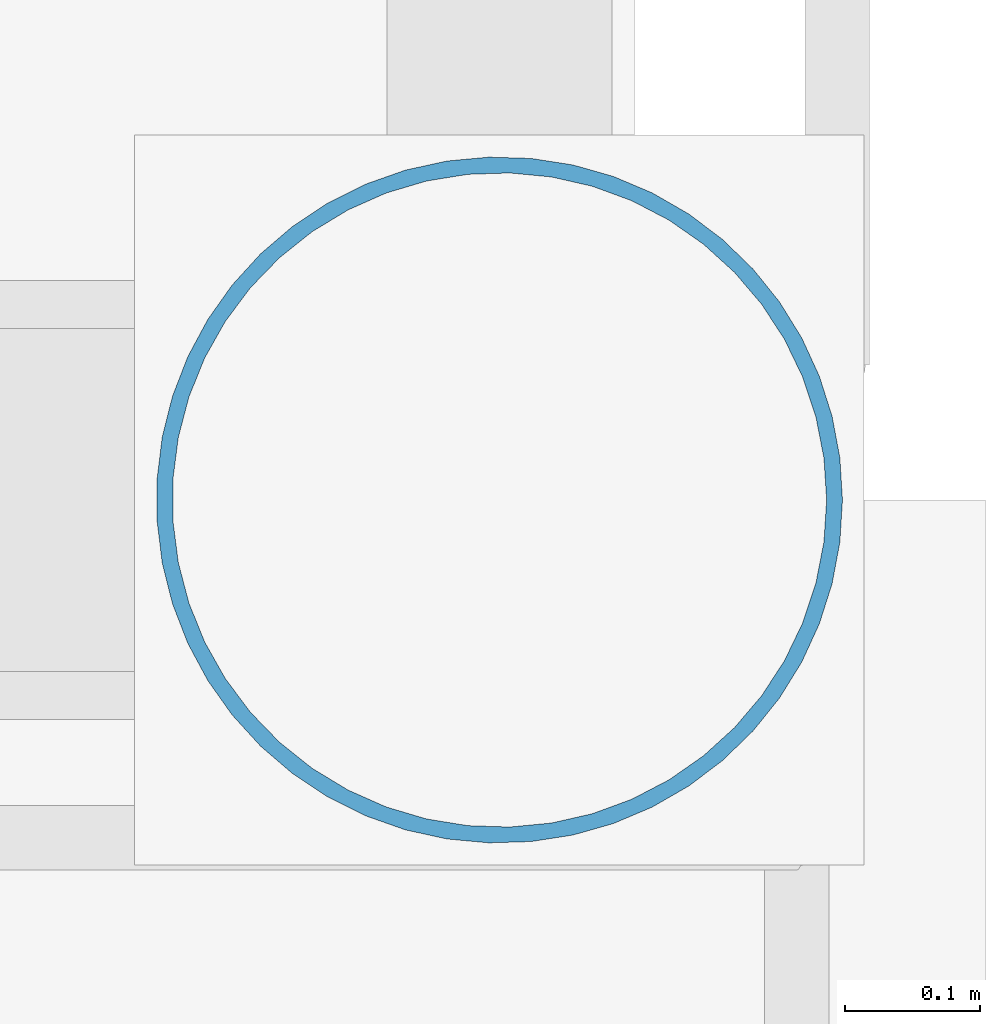
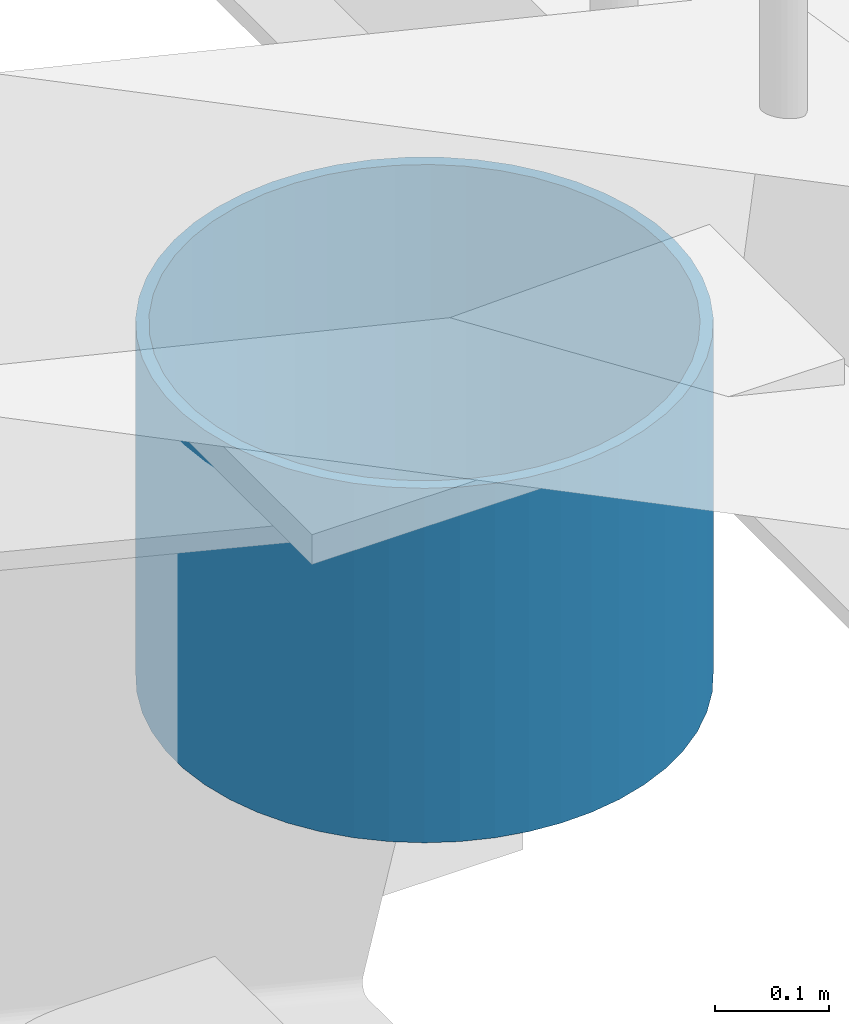
# One storey, part 12 of 120: 1 column.
"""IFC4 building model written with IfcOpenShell, lengths in metres."""

from ifc_helpers import new_model, si_unit, direction, frame, origin, origin_2d, place, context, subcontext, project, spatial, hollow_circle, extrude, material, material_profile, profile_set, type_object, element, save


model = new_model("IFC4")

# Units and contexts
model_context = context("Model", 3, precision=1e-05, world=origin(), true_north=direction((0.0, 1.0)))
body_context = subcontext(model_context, "Body", "Model", "MODEL_VIEW")
ifc_project = project(units=[si_unit("LENGTHUNIT", "METRE"), si_unit("AREAUNIT", "SQUARE_METRE"), si_unit("VOLUMEUNIT", "CUBIC_METRE"), si_unit("PLANEANGLEUNIT", "RADIAN"), si_unit("MASSUNIT", "GRAM", prefix="KILO")], contexts=[model_context])

# Site, building, storey
site_placement = place(None, origin())
site = spatial("IfcSite", under=ifc_project, at=site_placement, CompositionType="ELEMENT")
building_placement = place(site_placement, origin())
building = spatial("IfcBuilding", under=site, at=building_placement, Name="Caurita Quay Ferry Terminal", CompositionType="ELEMENT")
storey_placement = place(building_placement, frame((0.0, 0.0, 9.89990234375)))
storey = spatial("IfcBuildingStorey", under=building, at=storey_placement, Name="L02", CompositionType="ELEMENT", Elevation=9.89990234375)

# Column
ifc_material = material(Name="Hollow structural steel ASTM A500 Gr. C", Category="steel")
ifc_material_profile = material_profile(ifc_material, hollow_circle(Radius=0.25390625, WallThickness=0.01171875, at=origin_2d()), Name="HSS20.000X0.500")
ifc_profile_set = profile_set([ifc_material_profile], Name="Hollow structural steel ASTM A500 Gr. C")
column_type = type_object("IfcColumnType", Name="COL-MST-01", PredefinedType="COLUMN", material=ifc_profile_set)
column_placement = place(storey_placement, frame((131.800048828125, 62.699951171875, 0.0), z_axis=(0.0, 0.0, 1.0), x_axis=(1.0, 0.0, 0.0)))
element("IfcColumn", 1, at=column_placement, inside=storey, type_object=column_type, Name="L02 Column V2-MST-14-N", PredefinedType="COLUMN", context=body_context, shape_type="SweptSolid", body=[
    extrude(hollow_circle(Radius=0.25390625, WallThickness=0.01171875, at=origin_2d()), origin(), (0.0, 0.0, 1.0), 0.380126953125),
])

save(model, "model.ifc")
